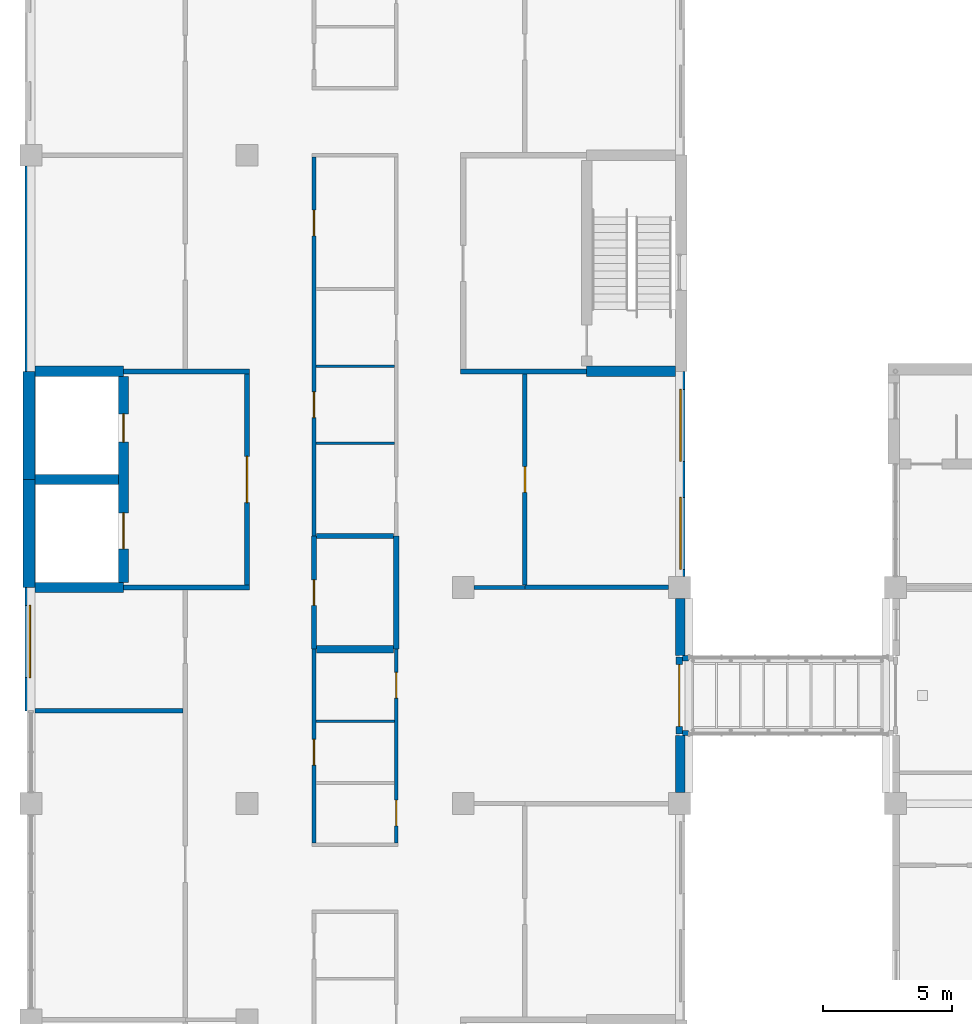
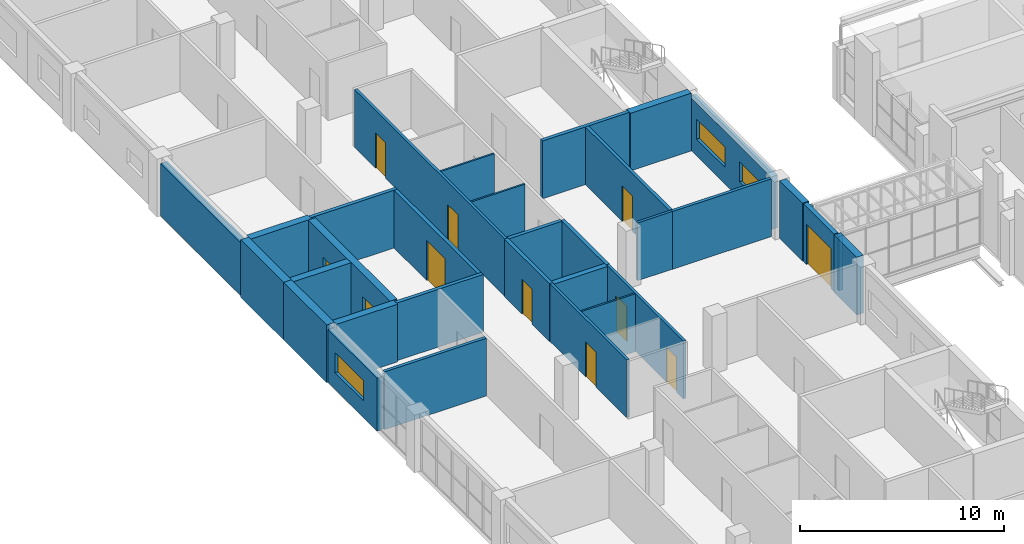
# One storey, part 65 of 94: 33 walls, 11 doors, 3 windows, 14 openings.
"""IFC4 building model written with IfcOpenShell, lengths in metres."""

from ifc_helpers import new_model, si_unit, direction, frame, frame_2d, origin, place, context, subcontext, project, spatial, rectangle, extrude, material, layer, layer_set, type_object, element, fill, save


model = new_model("IFC4")

# Units and contexts
model_context = context("Model", 3, precision=1e-05, world=origin(), true_north=direction((0.0, 1.0)))
body_context = subcontext(model_context, "Body", "Model", "MODEL_VIEW")
ifc_project = project(units=[si_unit("LENGTHUNIT", "METRE"), si_unit("AREAUNIT", "SQUARE_METRE"), si_unit("VOLUMEUNIT", "CUBIC_METRE"), si_unit("PLANEANGLEUNIT", "RADIAN"), si_unit("MASSUNIT", "GRAM", prefix="KILO")], contexts=[model_context])

# Site, building, storey
site_placement = place(None, origin())
site = spatial("IfcSite", under=ifc_project, at=site_placement, CompositionType="ELEMENT")
building_placement = place(site_placement, origin())
building = spatial("IfcBuilding", under=site, at=building_placement, Name="Yavir Park General Hospital", CompositionType="ELEMENT")
storey_placement = place(building_placement, frame((0.0, 0.0, 4.5)))
storey = spatial("IfcBuildingStorey", under=building, at=storey_placement, Name="L01", CompositionType="ELEMENT", Elevation=4.5)

# Walls
ifc_material_1 = material(Name="Double-leaf gypsum board acoustic partition on staggered studs")
ifc_layer_1 = layer(ifc_material_1, 0.175048828125)
ifc_layer_set_1 = layer_set([ifc_layer_1], Name="Double-leaf gypsum board acoustic partition on staggered studs")
wall_type_1 = type_object("IfcWallType", Name="Acoustic partition 175", PredefinedType="PARTITIONING", material=ifc_layer_set_1)
wall_1_placement = place(storey_placement, frame((0.14990234375, 62.39990234375, 0.0), z_axis=(0.0, 0.0, 1.0), x_axis=(1.0, 0.0, 0.0)))
element("IfcWall", 1, at=wall_1_placement, inside=storey, type_object=wall_type_1, Name="AP175 L01-181", PredefinedType="PARTITIONING", context=body_context, shape_type="SweptSolid", body=[
    extrude(rectangle(XDim=5.7626953125, YDim=0.175048828125, at=frame_2d((2.88134765625, 0.0))), origin(), (0.0, 0.0, 1.0), 3.449951171875),
])
wall_2_placement = place(storey_placement, frame((19.199951171875, 67.199951171875, 0.0), z_axis=(0.0, 0.0, 1.0), x_axis=(1.0, 0.0, 0.0)))
element("IfcWall", 2, at=wall_2_placement, inside=storey, type_object=wall_type_1, Name="AP175 L01-189", PredefinedType="PARTITIONING", context=body_context, shape_type="SweptSolid", body=[
    extrude(rectangle(XDim=5.574951171875, YDim=0.175048828125, at=frame_2d((2.78759765625, 0.0))), origin(), (0.0, 0.0, 1.0), 3.449951171875),
])

# Wall, opening, door
wall_3_placement = place(storey_placement, frame((19.199951171875, 67.28759765625, 0.0), z_axis=(0.0, 0.0, 1.0), x_axis=(0.0, 1.0, 0.0)))
wall_3 = element("IfcWall", 3, at=wall_3_placement, inside=storey, type_object=wall_type_1, Name="AP175 L01-310", PredefinedType="PARTITIONING", context=body_context, shape_type="SweptSolid", body=[
    extrude(rectangle(XDim=8.21240234375, YDim=0.175048828125, at=frame_2d((4.106201171875, 0.0))), origin(), (0.0, 0.0, 1.0), 3.449951171875),
])
opening_1_placement = place(wall_3_placement, frame((3.606201171875, 0.0, 0.0)))
opening_1 = element("IfcOpeningElement", 4, at=opening_1_placement, cuts=wall_3, Name="Opening L01.D216", PredefinedType="OPENING", context=body_context, shape_type="SweptSolid", body=[
    extrude(rectangle(XDim=1.0, YDim=2.10009765625, at=frame_2d((0.5, 1.050048828125))), frame((0.0, 0.097412109375, 0.0), z_axis=(0.0, -1.0, 0.0), x_axis=(1.0, 0.0, 0.0)), (0.0, 0.0, 1.0), 0.195068359375),
])
ifc_material_2 = material(Name="Sealed solid-core acoustic door leaf, Rw 42 dB")
door_type_1 = type_object("IfcDoorType", Name="Acoustic door 1000 x 2100", OperationType="SINGLE_SWING_LEFT", PredefinedType="DOOR", material=ifc_material_2)
door_1_placement = place(opening_1_placement, origin())
door_1 = element("IfcDoor", 5, at=door_1_placement, inside=storey, type_object=door_type_1, Name="L01.D216", OperationType="SINGLE_SWING_LEFT", OverallHeight=2.10009765625, OverallWidth=1.0, PredefinedType="DOOR", context=body_context, shape_type="SweptSolid", body=[
    extrude(rectangle(XDim=1.0, YDim=2.10009765625, at=frame_2d((0.5, 1.050048828125))), frame((0.0, 0.03515625, 0.0), z_axis=(0.0, -1.0, 0.0), x_axis=(1.0, 0.0, 0.0)), (0.0, 0.0, 1.0), 0.070068359375),
])
fill(opening_1, door_1)

ifc_material_3 = material(Name="Concrete C30/37", Category="concrete")
ifc_layer_2 = layer(ifc_material_3, 0.25)
ifc_layer_set_2 = layer_set([ifc_layer_2], Name="Concrete C30/37")
wall_type_2 = type_object("IfcWallType", Name="Compartment fire wall 250, REI 150", PredefinedType="SOLIDWALL", material=ifc_layer_set_2)
wall_4_placement = place(storey_placement, frame((25.199951171875, 61.5, 0.0), z_axis=(0.0, 0.0, 1.0), x_axis=(0.0, 1.0, 0.0)))
wall_4 = element("IfcWall", 6, at=wall_4_placement, inside=storey, type_object=wall_type_2, Name="FW25 L01-324", PredefinedType="SOLIDWALL", context=body_context, shape_type="SweptSolid", body=[
    extrude(rectangle(XDim=3.0, YDim=0.25, at=frame_2d((1.5, 0.0))), origin(), (0.0, 0.0, 1.0), 3.449951171875),
])
opening_2_placement = place(wall_4_placement, frame((0.300048828125, 0.0, 0.0)))
opening_2 = element("IfcOpeningElement", 7, at=opening_2_placement, cuts=wall_4, Name="Opening L01.D226", PredefinedType="OPENING", context=body_context, shape_type="SweptSolid", body=[
    extrude(rectangle(XDim=2.39990234375, YDim=2.39990234375, at=frame_2d((1.199951171875, 1.199951171875))), frame((0.0, 0.135009765625, 0.0), z_axis=(0.0, -1.0, 0.0), x_axis=(1.0, 0.0, 0.0)), (0.0, 0.0, 1.0), 0.27001953125),
])
ifc_material_4 = material(Name="Steel frame, fire-resisting timber leaves", Category="steel")
door_type_2 = type_object("IfcDoorType", Name="Double fire door 2400 x 2400, EI 60", OperationType="DOUBLE_DOOR_SINGLE_SWING", PredefinedType="DOOR", material=ifc_material_4)
door_2_placement = place(opening_2_placement, origin())
door_2 = element("IfcDoor", 8, at=door_2_placement, inside=storey, type_object=door_type_2, Name="L01.D226", OperationType="SINGLE_SWING_RIGHT", OverallHeight=2.39990234375, OverallWidth=2.39990234375, PredefinedType="DOOR", context=body_context, shape_type="SweptSolid", body=[
    extrude(rectangle(XDim=2.39990234375, YDim=2.39990234375, at=frame_2d((1.199951171875, 1.199951171875))), frame((0.0, 0.02490234375, 0.0), z_axis=(0.0, -1.0, 0.0), x_axis=(1.0, 0.0, 0.0)), (0.0, 0.0, 1.0), 0.050048828125),
])
fill(opening_2, door_2)

# Walls
ifc_material_5 = material(Name="Double gypsum board fire partition on steel studs", Category="steel")
ifc_layer_3 = layer(ifc_material_5, 0.199951171875)
ifc_layer_set_3 = layer_set([ifc_layer_3], Name="Double gypsum board fire partition on steel studs")
wall_type_3 = type_object("IfcWallType", Name="Fire-rated partition 200, EI 60", PredefinedType="PARTITIONING", material=ifc_layer_set_3)
for number, where, z_axis, x_axis, name in (
    (9, (3.60009765625, 67.199951171875, 0.0), (0.0, 0.0, 1.0), (1.0, 0.0, 0.0), "FP20 L01-187"),
    (10, (3.60009765625, 75.60009765625, 0.0), (0.0, 0.0, 1.0), (1.0, 0.0, 0.0), "FP20 L01-211"),
):
    element("IfcWall", number, at=place(storey_placement, frame(where, z_axis=z_axis, x_axis=x_axis)), inside=storey, type_object=wall_type_3, Name=name, PredefinedType="PARTITIONING", context=body_context, shape_type="SweptSolid", body=[
        extrude(rectangle(XDim=4.89990234375, YDim=0.199951171875, at=frame_2d((2.449951171875, 0.0))), origin(), (0.0, 0.0, 1.0), 3.449951171875),
    ])
wall_5_placement = place(storey_placement, frame((16.699951171875, 75.60009765625, 0.0), z_axis=(0.0, 0.0, 1.0), x_axis=(1.0, 0.0, 0.0)))
element("IfcWall", 11, at=wall_5_placement, inside=storey, type_object=wall_type_3, Name="FP20 L01-212", PredefinedType="PARTITIONING", context=body_context, shape_type="SweptSolid", body=[
    extrude(rectangle(XDim=4.900146484375, YDim=0.199951171875, at=frame_2d((2.4501953125, 0.0))), origin(), (0.0, 0.0, 1.0), 3.449951171875),
])

# Wall, opening, door
wall_6_placement = place(storey_placement, frame((8.39990234375, 67.300048828125, 0.0), z_axis=(0.0, 0.0, 1.0), x_axis=(0.0, 1.0, 0.0)))
wall_6 = element("IfcWall", 12, at=wall_6_placement, inside=storey, type_object=wall_type_3, Name="FP20 L01-286", PredefinedType="PARTITIONING", context=body_context, shape_type="SweptSolid", body=[
    extrude(rectangle(XDim=8.199951171875, YDim=0.199951171875, at=frame_2d((4.10009765625, 0.0))), origin(), (0.0, 0.0, 1.0), 3.449951171875),
])
opening_3_placement = place(wall_6_placement, frame((3.199951171875, 0.0, 0.0)))
opening_3 = element("IfcOpeningElement", 13, at=opening_3_placement, cuts=wall_6, Name="Opening L01.D179", PredefinedType="OPENING", context=body_context, shape_type="SweptSolid", body=[
    extrude(rectangle(XDim=1.800048828125, YDim=2.39990234375, at=frame_2d((0.89990234375, 1.199951171875))), frame((0.0, 0.10986328125, 0.0), z_axis=(0.0, -1.0, 0.0), x_axis=(1.0, 0.0, 0.0)), (0.0, 0.0, 1.0), 0.219970703125),
])
ifc_material_6 = material(Name="Steel frame, fire-resisting leaves with vision panels", Category="steel")
door_type_3 = type_object("IfcDoorType", Name="Double fire door with vision panels 1800 x 2400, EI 60", OperationType="DOUBLE_DOOR_SINGLE_SWING", PredefinedType="DOOR", material=ifc_material_6)
door_3_placement = place(opening_3_placement, origin())
door_3 = element("IfcDoor", 14, at=door_3_placement, inside=storey, type_object=door_type_3, Name="L01.D179", OperationType="SINGLE_SWING_LEFT", OverallHeight=2.39990234375, OverallWidth=1.800048828125, PredefinedType="DOOR", context=body_context, shape_type="SweptSolid", body=[
    extrude(rectangle(XDim=1.800048828125, YDim=2.39990234375, at=frame_2d((0.89990234375, 1.199951171875))), frame((0.0, 0.030029296875, 0.0), z_axis=(0.0, -1.0, 0.0), x_axis=(1.0, 0.0, 0.0)), (0.0, 0.0, 1.0), 0.06005859375),
])
fill(opening_3, door_3)

# Walls
ifc_material_7 = material(Name="Aluminium glazing frame wall with insulated infill", Category="aluminium")
ifc_layer_4 = layer(ifc_material_7, 0.199951171875)
ifc_layer_set_4 = layer_set([ifc_layer_4], Name="Aluminium glazing frame wall with insulated infill")
wall_type_4 = type_object("IfcWallType", Name="Glazing frame wall 200, E 30", PredefinedType="SOLIDWALL", material=ifc_layer_set_4)
for number, where, z_axis, x_axis, name in (
    (15, (25.324951171875, 61.550048828125, 0.0), (0.0, 0.0, 1.0), (1.0, 0.0, 0.0), "XW9 L01-097"),
    (16, (25.324951171875, 64.449951171875, 0.0), (0.0, 0.0, 1.0), (1.0, 0.0, 0.0), "XW9 L01-099"),
):
    element("IfcWall", number, at=place(storey_placement, frame(where, z_axis=z_axis, x_axis=x_axis)), inside=storey, type_object=wall_type_4, Name=name, PredefinedType="SOLIDWALL", context=body_context, shape_type="SweptSolid", body=[
        extrude(rectangle(XDim=0.22509765625, YDim=0.199951171875, at=frame_2d((0.112548828125, 0.0))), origin(), (0.0, 0.0, 1.0), 3.25),
    ])
ifc_material_8 = material(Name="Gypsum board partition on steel studs", Category="steel")
ifc_layer_5 = layer(ifc_material_8, 0.10009765625)
ifc_layer_set_5 = layer_set([ifc_layer_5], Name="Gypsum board partition on steel studs")
wall_type_5 = type_object("IfcWallType", Name="Gypsum board partition 100", PredefinedType="PARTITIONING", material=ifc_layer_set_5)
for number, where, z_axis, x_axis, name in (
    (17, (11.074951171875, 62.0, 0.0), (0.0, 0.0, 1.0), (1.0, 0.0, 0.0), "P10 L01-180"),
    (18, (11.074951171875, 72.800048828125, 0.0), (0.0, 0.0, 1.0), (1.0, 0.0, 0.0), "P10 L01-208"),
    (19, (11.074951171875, 75.800048828125, 0.0), (0.0, 0.0, 1.0), (1.0, 0.0, 0.0), "P10 L01-218"),
):
    element("IfcWall", number, at=place(storey_placement, frame(where, z_axis=z_axis, x_axis=x_axis)), inside=storey, type_object=wall_type_5, Name=name, PredefinedType="PARTITIONING", context=body_context, shape_type="SweptSolid", body=[
        extrude(rectangle(XDim=3.050048828125, YDim=0.10009765625, at=frame_2d((1.52490234375, 0.0))), origin(), (0.0, 0.0, 1.0), 3.449951171875),
    ])
ifc_material_9 = material(Name="Gypsum board partition on steel studs", Category="steel")
ifc_layer_6 = layer(ifc_material_9, 0.14990234375)
ifc_layer_set_6 = layer_set([ifc_layer_6], Name="Gypsum board partition on steel studs")
wall_type_6 = type_object("IfcWallType", Name="Gypsum board partition 150", PredefinedType="PARTITIONING", material=ifc_layer_set_6)
wall_7_placement = place(storey_placement, frame((17.22509765625, 67.199951171875, 0.0), z_axis=(0.0, 0.0, 1.0), x_axis=(1.0, 0.0, 0.0)))
element("IfcWall", 20, at=wall_7_placement, inside=storey, type_object=wall_type_6, Name="P15 L01-188", PredefinedType="PARTITIONING", context=body_context, shape_type="SweptSolid", body=[
    extrude(rectangle(XDim=1.974853515625, YDim=0.14990234375, at=frame_2d((0.9873046875, 0.0))), origin(), (0.0, 0.0, 1.0), 3.449951171875),
])

# Wall, opening, door
wall_8_placement = place(storey_placement, frame((11.0, 57.27490234375, 0.0), z_axis=(0.0, 0.0, 1.0), x_axis=(0.0, 1.0, 0.0)))
wall_8 = element("IfcWall", 21, at=wall_8_placement, inside=storey, type_object=wall_type_6, Name="P15 L01-289", PredefinedType="PARTITIONING", context=body_context, shape_type="SweptSolid", body=[
    extrude(rectangle(XDim=7.525146484375, YDim=0.14990234375, at=frame_2d((3.7626953125, 0.0))), origin(), (0.0, 0.0, 1.0), 3.449951171875),
])
opening_4_placement = place(wall_8_placement, frame((3.02490234375, 0.0, 0.0)))
opening_4 = element("IfcOpeningElement", 22, at=opening_4_placement, cuts=wall_8, Name="Opening L01.D185", PredefinedType="OPENING", context=body_context, shape_type="SweptSolid", body=[
    extrude(rectangle(XDim=1.0, YDim=2.10009765625, at=frame_2d((0.5, 1.050048828125))), frame((0.0, 0.0849609375, 0.0), z_axis=(0.0, -1.0, 0.0), x_axis=(1.0, 0.0, 0.0)), (0.0, 0.0, 1.0), 0.169921875),
])
ifc_material_10 = material(Name="Hollow metal frame, solid-core timber leaf", Category="wood")
door_type_4 = type_object("IfcDoorType", Name="Single swing door 1000 x 2100", OperationType="SINGLE_SWING_LEFT", PredefinedType="DOOR", material=ifc_material_10)
door_4_placement = place(opening_4_placement, origin())
door_4 = element("IfcDoor", 23, at=door_4_placement, inside=storey, type_object=door_type_4, Name="L01.D185", OperationType="SINGLE_SWING_LEFT", OverallHeight=2.10009765625, OverallWidth=1.0, PredefinedType="DOOR", context=body_context, shape_type="SweptSolid", body=[
    extrude(rectangle(XDim=1.0, YDim=2.10009765625, at=frame_2d((0.5, 1.050048828125))), frame((0.0, 0.02490234375, 0.0), z_axis=(0.0, -1.0, 0.0), x_axis=(1.0, 0.0, 0.0)), (0.0, 0.0, 1.0), 0.050048828125),
])
fill(opening_4, door_4)

# Wall, openings, doors
wall_9_placement = place(storey_placement, frame((11.0, 69.199951171875, 0.0), z_axis=(0.0, 0.0, 1.0), x_axis=(0.0, 1.0, 0.0)))
wall_9 = element("IfcWall", 24, at=wall_9_placement, inside=storey, type_object=wall_type_6, Name="P15 L01-291", PredefinedType="PARTITIONING", context=body_context, shape_type="SweptSolid", body=[
    extrude(rectangle(XDim=14.72509765625, YDim=0.14990234375, at=frame_2d((7.362548828125, 0.0))), origin(), (0.0, 0.0, 1.0), 3.449951171875),
])
opening_5_placement = place(wall_9_placement, frame((4.60009765625, 0.0, 0.0)))
opening_5 = element("IfcOpeningElement", 25, at=opening_5_placement, cuts=wall_9, Name="Opening L01.D187", PredefinedType="OPENING", context=body_context, shape_type="SweptSolid", body=[
    extrude(rectangle(XDim=1.0, YDim=2.10009765625, at=frame_2d((0.5, 1.050048828125))), frame((0.0, 0.0849609375, 0.0), z_axis=(0.0, -1.0, 0.0), x_axis=(1.0, 0.0, 0.0)), (0.0, 0.0, 1.0), 0.169921875),
])
opening_6_placement = place(wall_9_placement, frame((11.66259765625, 0.0, 0.0)))
opening_6 = element("IfcOpeningElement", 26, at=opening_6_placement, cuts=wall_9, Name="Opening L01.D188", PredefinedType="OPENING", context=body_context, shape_type="SweptSolid", body=[
    extrude(rectangle(XDim=1.0, YDim=2.10009765625, at=frame_2d((0.5, 1.050048828125))), frame((0.0, 0.0849609375, 0.0), z_axis=(0.0, -1.0, 0.0), x_axis=(1.0, 0.0, 0.0)), (0.0, 0.0, 1.0), 0.169921875),
])
door_5_placement = place(opening_5_placement, origin())
door_5 = element("IfcDoor", 27, at=door_5_placement, inside=storey, type_object=door_type_4, Name="L01.D187", OperationType="SINGLE_SWING_LEFT", OverallHeight=2.10009765625, OverallWidth=1.0, PredefinedType="DOOR", context=body_context, shape_type="SweptSolid", body=[
    extrude(rectangle(XDim=1.0, YDim=2.10009765625, at=frame_2d((0.5, 1.050048828125))), frame((0.0, 0.02490234375, 0.0), z_axis=(0.0, -1.0, 0.0), x_axis=(1.0, 0.0, 0.0)), (0.0, 0.0, 1.0), 0.050048828125),
])
fill(opening_5, door_5)
door_6_placement = place(opening_6_placement, origin())
door_6 = element("IfcDoor", 28, at=door_6_placement, inside=storey, type_object=door_type_4, Name="L01.D188", OperationType="SINGLE_SWING_RIGHT", OverallHeight=2.10009765625, OverallWidth=1.0, PredefinedType="DOOR", context=body_context, shape_type="SweptSolid", body=[
    extrude(rectangle(XDim=1.0, YDim=2.10009765625, at=frame_2d((0.5, 1.050048828125))), frame((0.0, 0.02490234375, 0.0), z_axis=(0.0, -1.0, 0.0), x_axis=(1.0, 0.0, 0.0)), (0.0, 0.0, 1.0), 0.050048828125),
])
fill(opening_6, door_6)

wall_10_placement = place(storey_placement, frame((14.199951171875, 57.27490234375, 0.0), z_axis=(0.0, 0.0, 1.0), x_axis=(0.0, 1.0, 0.0)))
wall_10 = element("IfcWall", 29, at=wall_10_placement, inside=storey, type_object=wall_type_6, Name="P15 L01-296", PredefinedType="PARTITIONING", context=body_context, shape_type="SweptSolid", body=[
    extrude(rectangle(XDim=7.525146484375, YDim=0.14990234375, at=frame_2d((3.7626953125, 0.0))), origin(), (0.0, 0.0, 1.0), 3.449951171875),
])
opening_7_placement = place(wall_10_placement, frame((0.66259765625, 0.0, 0.0)))
opening_7 = element("IfcOpeningElement", 30, at=opening_7_placement, cuts=wall_10, Name="Opening L01.D199", PredefinedType="OPENING", context=body_context, shape_type="SweptSolid", body=[
    extrude(rectangle(XDim=1.0, YDim=2.10009765625, at=frame_2d((0.5, 1.050048828125))), frame((0.0, 0.0849609375, 0.0), z_axis=(0.0, -1.0, 0.0), x_axis=(1.0, 0.0, 0.0)), (0.0, 0.0, 1.0), 0.169921875),
])
opening_8_placement = place(wall_10_placement, frame((5.625, 0.0, 0.0)))
opening_8 = element("IfcOpeningElement", 31, at=opening_8_placement, cuts=wall_10, Name="Opening L01.D200", PredefinedType="OPENING", context=body_context, shape_type="SweptSolid", body=[
    extrude(rectangle(XDim=1.0, YDim=2.10009765625, at=frame_2d((0.5, 1.050048828125))), frame((0.0, 0.0849609375, 0.0), z_axis=(0.0, -1.0, 0.0), x_axis=(1.0, 0.0, 0.0)), (0.0, 0.0, 1.0), 0.169921875),
])
door_7_placement = place(opening_7_placement, origin())
door_7 = element("IfcDoor", 32, at=door_7_placement, inside=storey, type_object=door_type_4, Name="L01.D199", OperationType="SINGLE_SWING_LEFT", OverallHeight=2.10009765625, OverallWidth=1.0, PredefinedType="DOOR", context=body_context, shape_type="SweptSolid", body=[
    extrude(rectangle(XDim=1.0, YDim=2.10009765625, at=frame_2d((0.5, 1.050048828125))), frame((0.0, 0.02490234375, 0.0), z_axis=(0.0, -1.0, 0.0), x_axis=(1.0, 0.0, 0.0)), (0.0, 0.0, 1.0), 0.050048828125),
])
fill(opening_7, door_7)
door_8_placement = place(opening_8_placement, origin())
door_8 = element("IfcDoor", 33, at=door_8_placement, inside=storey, type_object=door_type_4, Name="L01.D200", OperationType="SINGLE_SWING_RIGHT", OverallHeight=2.10009765625, OverallWidth=1.0, PredefinedType="DOOR", context=body_context, shape_type="SweptSolid", body=[
    extrude(rectangle(XDim=1.0, YDim=2.10009765625, at=frame_2d((0.5, 1.050048828125))), frame((0.0, 0.02490234375, 0.0), z_axis=(0.0, -1.0, 0.0), x_axis=(1.0, 0.0, 0.0)), (0.0, 0.0, 1.0), 0.050048828125),
])
fill(opening_8, door_8)

# Wall
ifc_material_11 = material(Name="Clay block masonry infill", Category="masonry")
ifc_layer_7 = layer(ifc_material_11, 0.199951171875)
ifc_layer_set_7 = layer_set([ifc_layer_7], Name="Clay block masonry infill")
wall_type_7 = type_object("IfcWallType", Name="Masonry infill wall 200", PredefinedType="SOLIDWALL", material=ifc_layer_set_7)
wall_11_placement = place(storey_placement, frame((11.10009765625, 69.199951171875, 0.0), z_axis=(0.0, 0.0, 1.0), x_axis=(1.0, 0.0, 0.0)))
element("IfcWall", 34, at=wall_11_placement, inside=storey, type_object=wall_type_7, Name="MW20 L01-198", PredefinedType="SOLIDWALL", context=body_context, shape_type="SweptSolid", body=[
    extrude(rectangle(XDim=3.0, YDim=0.199951171875, at=frame_2d((1.5, 0.0))), origin(), (0.0, 0.0, 1.0), 3.449951171875),
])

# Wall, opening, door
wall_12_placement = place(storey_placement, frame((11.0, 64.800048828125, 0.0), z_axis=(0.0, 0.0, 1.0), x_axis=(0.0, 1.0, 0.0)))
wall_12 = element("IfcWall", 35, at=wall_12_placement, inside=storey, type_object=wall_type_7, Name="MW20 L01-290", PredefinedType="SOLIDWALL", context=body_context, shape_type="SweptSolid", body=[
    extrude(rectangle(XDim=4.39990234375, YDim=0.199951171875, at=frame_2d((2.199951171875, 0.0))), origin(), (0.0, 0.0, 1.0), 3.449951171875),
])
opening_9_placement = place(wall_12_placement, frame((1.699951171875, 0.0, 0.0)))
opening_9 = element("IfcOpeningElement", 36, at=opening_9_placement, cuts=wall_12, Name="Opening L01.D186", PredefinedType="OPENING", context=body_context, shape_type="SweptSolid", body=[
    extrude(rectangle(XDim=1.0, YDim=2.10009765625, at=frame_2d((0.5, 1.050048828125))), frame((0.0, 0.10986328125, 0.0), z_axis=(0.0, -1.0, 0.0), x_axis=(1.0, 0.0, 0.0)), (0.0, 0.0, 1.0), 0.219970703125),
])
door_9_placement = place(opening_9_placement, origin())
door_9 = element("IfcDoor", 37, at=door_9_placement, inside=storey, type_object=door_type_4, Name="L01.D186", OperationType="SINGLE_SWING_LEFT", OverallHeight=2.10009765625, OverallWidth=1.0, PredefinedType="DOOR", context=body_context, shape_type="SweptSolid", body=[
    extrude(rectangle(XDim=1.0, YDim=2.10009765625, at=frame_2d((0.5, 1.050048828125))), frame((0.0, 0.02490234375, 0.0), z_axis=(0.0, -1.0, 0.0), x_axis=(1.0, 0.0, 0.0)), (0.0, 0.0, 1.0), 0.050048828125),
])
fill(opening_9, door_9)

# Wall
wall_13_placement = place(storey_placement, frame((14.199951171875, 64.800048828125, 0.0), z_axis=(0.0, 0.0, 1.0), x_axis=(0.0, 1.0, 0.0)))
element("IfcWall", 38, at=wall_13_placement, inside=storey, type_object=wall_type_7, Name="MW20 L01-297", PredefinedType="SOLIDWALL", context=body_context, shape_type="SweptSolid", body=[
    extrude(rectangle(XDim=4.39990234375, YDim=0.199951171875, at=frame_2d((2.199951171875, 0.0))), origin(), (0.0, 0.0, 1.0), 3.449951171875),
])

# Wall, opening, window
ifc_material_12 = material(Name="Autoclaved aerated block, 150 mm mineral wool and sand-coloured mineral render")
ifc_layer_8 = layer(ifc_material_12, 0.375)
ifc_layer_set_8 = layer_set([ifc_layer_8], Name="Autoclaved aerated block, 150 mm mineral wool and sand-coloured mineral render")
wall_type_8 = type_object("IfcWallType", Name="Mineral render clinical wall 375, E 30", PredefinedType="SOLIDWALL", material=ifc_layer_set_8)
wall_14_placement = place(storey_placement, frame((-0.03759765625, 62.39990234375, 0.0), z_axis=(0.0, 0.0, 1.0), x_axis=(0.0, 1.0, 0.0)))
wall_14 = element("IfcWall", 39, at=wall_14_placement, inside=storey, type_object=wall_type_8, Name="XW1 L01-144", PredefinedType="SOLIDWALL", context=body_context, shape_type="SweptSolid", body=[
    extrude(rectangle(XDim=4.800048828125, YDim=0.375, at=frame_2d((2.39990234375, 0.0))), origin(), (0.0, 0.0, 1.0), 3.14990234375),
])
opening_10_placement = place(wall_14_placement, frame((1.300048828125, 0.0, 1.0)))
opening_10 = element("IfcOpeningElement", 40, at=opening_10_placement, cuts=wall_14, Name="Opening WRB", PredefinedType="OPENING", context=body_context, shape_type="SweptSolid", body=[
    extrude(rectangle(XDim=2.800048828125, YDim=1.199951171875, at=frame_2d((1.39990234375, 0.60009765625))), frame((0.0, 0.197509765625, 0.0), z_axis=(0.0, -1.0, 0.0), x_axis=(1.0, 0.0, 0.0)), (0.0, 0.0, 1.0), 0.39501953125),
])
ifc_material_13 = material(Name="Aluminium frame, double glazed unit", Category="aluminium")
window_type = type_object("IfcWindowType", Name="Ribbon window 2800 x 1200", PartitioningType="DOUBLE_PANEL_VERTICAL", PredefinedType="WINDOW", material=ifc_material_13)
window_1_placement = place(opening_10_placement, origin())
window_1 = element("IfcWindow", 41, at=window_1_placement, inside=storey, type_object=window_type, Name="WRB L01-081", OverallHeight=1.199951171875, OverallWidth=2.800048828125, PartitioningType="DOUBLE_PANEL_VERTICAL", PredefinedType="WINDOW", context=body_context, shape_type="SweptSolid", body=[
    extrude(rectangle(XDim=2.800048828125, YDim=1.199951171875, at=frame_2d((1.39990234375, 0.60009765625))), frame((0.0, 0.030029296875, 0.0), z_axis=(0.0, -1.0, 0.0), x_axis=(1.0, 0.0, 0.0)), (0.0, 0.0, 1.0), 0.06005859375),
])
fill(opening_10, window_1)

# Walls
wall_15_placement = place(storey_placement, frame((-0.03759765625, 75.60009765625, 0.0), z_axis=(0.0, 0.0, 1.0), x_axis=(0.0, 1.0, 0.0)))
element("IfcWall", 42, at=wall_15_placement, inside=storey, type_object=wall_type_8, Name="XW1 L01-147", PredefinedType="SOLIDWALL", context=body_context, shape_type="SweptSolid", body=[
    extrude(rectangle(XDim=7.974853515625, YDim=0.375, at=frame_2d((3.9873046875, 0.0))), origin(), (0.0, 0.0, 1.0), 3.14990234375),
])
for number, where, z_axis, x_axis, name in (
    (43, (25.237548828125, 59.22509765625, 0.0), (0.0, 0.0, 1.0), (0.0, 1.0, 0.0), "XW1 L01-160"),
    (44, (25.237548828125, 64.550048828125, 0.0), (0.0, 0.0, 1.0), (0.0, 1.0, 0.0), "XW1 L01-161"),
):
    element("IfcWall", number, at=place(storey_placement, frame(where, z_axis=z_axis, x_axis=x_axis)), inside=storey, type_object=wall_type_8, Name=name, PredefinedType="SOLIDWALL", context=body_context, shape_type="SweptSolid", body=[
        extrude(rectangle(XDim=2.224853515625, YDim=0.375, at=frame_2d((1.1123046875, 0.0))), origin(), (0.0, 0.0, 1.0), 3.449951171875),
    ])

# Wall, openings, windows
wall_16_placement = place(storey_placement, frame((25.237548828125, 67.625, 0.0), z_axis=(0.0, 0.0, 1.0), x_axis=(0.0, 1.0, 0.0)))
wall_16 = element("IfcWall", 45, at=wall_16_placement, inside=storey, type_object=wall_type_8, Name="XW1 L01-162", PredefinedType="SOLIDWALL", context=body_context, shape_type="SweptSolid", body=[
    extrude(rectangle(XDim=7.97509765625, YDim=0.375, at=frame_2d((3.987548828125, 0.0))), origin(), (0.0, 0.0, 1.0), 3.14990234375),
])
opening_11_placement = place(wall_16_placement, frame((0.27490234375, 0.0, 1.0)))
opening_11 = element("IfcOpeningElement", 46, at=opening_11_placement, cuts=wall_16, Name="Opening WRB", PredefinedType="OPENING", context=body_context, shape_type="SweptSolid", body=[
    extrude(rectangle(XDim=2.800048828125, YDim=1.199951171875, at=frame_2d((1.39990234375, 0.60009765625))), frame((0.0, 0.197509765625, 0.0), z_axis=(0.0, -1.0, 0.0), x_axis=(1.0, 0.0, 0.0)), (0.0, 0.0, 1.0), 0.39501953125),
])
opening_12_placement = place(wall_16_placement, frame((4.47509765625, 0.0, 1.0)))
opening_12 = element("IfcOpeningElement", 47, at=opening_12_placement, cuts=wall_16, Name="Opening WRB", PredefinedType="OPENING", context=body_context, shape_type="SweptSolid", body=[
    extrude(rectangle(XDim=2.800048828125, YDim=1.199951171875, at=frame_2d((1.39990234375, 0.60009765625))), frame((0.0, 0.197509765625, 0.0), z_axis=(0.0, -1.0, 0.0), x_axis=(1.0, 0.0, 0.0)), (0.0, 0.0, 1.0), 0.39501953125),
])
window_2_placement = place(opening_11_placement, origin())
window_2 = element("IfcWindow", 48, at=window_2_placement, inside=storey, type_object=window_type, Name="WRB L01-092", OverallHeight=1.199951171875, OverallWidth=2.800048828125, PartitioningType="DOUBLE_PANEL_VERTICAL", PredefinedType="WINDOW", context=body_context, shape_type="SweptSolid", body=[
    extrude(rectangle(XDim=2.800048828125, YDim=1.199951171875, at=frame_2d((1.39990234375, 0.60009765625))), frame((0.0, 0.030029296875, 0.0), z_axis=(0.0, -1.0, 0.0), x_axis=(1.0, 0.0, 0.0)), (0.0, 0.0, 1.0), 0.06005859375),
])
fill(opening_11, window_2)
window_3_placement = place(opening_12_placement, origin())
window_3 = element("IfcWindow", 49, at=window_3_placement, inside=storey, type_object=window_type, Name="WRB L01-093", OverallHeight=1.199951171875, OverallWidth=2.800048828125, PartitioningType="DOUBLE_PANEL_VERTICAL", PredefinedType="WINDOW", context=body_context, shape_type="SweptSolid", body=[
    extrude(rectangle(XDim=2.800048828125, YDim=1.199951171875, at=frame_2d((1.39990234375, 0.60009765625))), frame((0.0, 0.030029296875, 0.0), z_axis=(0.0, -1.0, 0.0), x_axis=(1.0, 0.0, 0.0)), (0.0, 0.0, 1.0), 0.06005859375),
])
fill(opening_12, window_3)

# Walls
ifc_material_14 = material(Name="Dense block wall, cavity filled, acoustic render")
ifc_layer_9 = layer(ifc_material_14, 0.300048828125)
ifc_layer_set_9 = layer_set([ifc_layer_9], Name="Dense block wall, cavity filled, acoustic render")
wall_type_9 = type_object("IfcWallType", Name="Plant room acoustic block wall 300", PredefinedType="SOLIDWALL", material=ifc_layer_set_9)
wall_17_placement = place(storey_placement, frame((11.10009765625, 64.800048828125, 0.0), z_axis=(0.0, 0.0, 1.0), x_axis=(1.0, 0.0, 0.0)))
element("IfcWall", 50, at=wall_17_placement, inside=storey, type_object=wall_type_9, Name="AB300 L01-184", PredefinedType="SOLIDWALL", context=body_context, shape_type="SweptSolid", body=[
    extrude(rectangle(XDim=3.0, YDim=0.300048828125, at=frame_2d((1.5, 0.0))), origin(), (0.0, 0.0, 1.0), 3.449951171875),
])
ifc_material_15 = material(Name="Concrete C35/45", Category="concrete")
ifc_layer_10 = layer(ifc_material_15, 0.39990234375)
ifc_layer_set_10 = layer_set([ifc_layer_10], Name="Concrete C35/45")
wall_type_10 = type_object("IfcWallType", Name="Reinforced concrete core wall 400, REI 150", PredefinedType="SHEAR", material=ifc_layer_set_10)
wall_18_placement = place(storey_placement, frame((0.14990234375, 67.199951171875, 0.0), z_axis=(0.0, 0.0, 1.0), x_axis=(1.0, 0.0, 0.0)))
element("IfcWall", 51, at=wall_18_placement, inside=storey, type_object=wall_type_10, Name="CW40 L01-186", PredefinedType="SHEAR", context=body_context, shape_type="SweptSolid", body=[
    extrude(rectangle(XDim=3.4501953125, YDim=0.39990234375, at=frame_2d((1.72509765625, 0.0))), origin(), (0.0, 0.0, 1.0), 3.449951171875),
])
wall_19_placement = place(storey_placement, frame((0.14990234375, 71.39990234375, 0.0), z_axis=(0.0, 0.0, 1.0), x_axis=(1.0, 0.0, 0.0)))
element("IfcWall", 52, at=wall_19_placement, inside=storey, type_object=wall_type_10, Name="CW40 L01-201", PredefinedType="SHEAR", context=body_context, shape_type="SweptSolid", body=[
    extrude(rectangle(XDim=3.25, YDim=0.39990234375, at=frame_2d((1.625, 0.0))), origin(), (0.0, 0.0, 1.0), 3.449951171875),
])
wall_20_placement = place(storey_placement, frame((0.14990234375, 75.60009765625, 0.0), z_axis=(0.0, 0.0, 1.0), x_axis=(1.0, 0.0, 0.0)))
element("IfcWall", 53, at=wall_20_placement, inside=storey, type_object=wall_type_10, Name="CW40 L01-210", PredefinedType="SHEAR", context=body_context, shape_type="SweptSolid", body=[
    extrude(rectangle(XDim=3.4501953125, YDim=0.39990234375, at=frame_2d((1.72509765625, 0.0))), origin(), (0.0, 0.0, 1.0), 3.449951171875),
])
wall_21_placement = place(storey_placement, frame((21.60009765625, 75.60009765625, 0.0), z_axis=(0.0, 0.0, 1.0), x_axis=(1.0, 0.0, 0.0)))
element("IfcWall", 54, at=wall_21_placement, inside=storey, type_object=wall_type_10, Name="CW40 L01-213", PredefinedType="SHEAR", context=body_context, shape_type="SweptSolid", body=[
    extrude(rectangle(XDim=3.449951171875, YDim=0.39990234375, at=frame_2d((1.72509765625, 0.0))), origin(), (0.0, 0.0, 1.0), 3.449951171875),
])

# Wall, openings, doors
wall_22_placement = place(storey_placement, frame((3.60009765625, 67.39990234375, 0.0), z_axis=(0.0, 0.0, 1.0), x_axis=(0.0, 1.0, 0.0)))
wall_22 = element("IfcWall", 55, at=wall_22_placement, inside=storey, type_object=wall_type_10, Name="CW40 L01-276", PredefinedType="SHEAR", context=body_context, shape_type="SweptSolid", body=[
    extrude(rectangle(XDim=8.0, YDim=0.39990234375, at=frame_2d((4.0, 0.0))), origin(), (0.0, 0.0, 1.0), 3.449951171875),
])
opening_13_placement = place(wall_22_placement, frame((1.300048828125, 0.0, 0.0)))
opening_13 = element("IfcOpeningElement", 56, at=opening_13_placement, cuts=wall_22, Name="Opening L01.D166", PredefinedType="OPENING", context=body_context, shape_type="SweptSolid", body=[
    extrude(rectangle(XDim=1.39990234375, YDim=2.10009765625, at=frame_2d((0.699951171875, 1.050048828125))), frame((0.0, 0.2099609375, 0.0), z_axis=(0.0, -1.0, 0.0), x_axis=(1.0, 0.0, 0.0)), (0.0, 0.0, 1.0), 0.419921875),
])
opening_14_placement = place(wall_22_placement, frame((5.449951171875, 0.0, 0.0)))
opening_14 = element("IfcOpeningElement", 57, at=opening_14_placement, cuts=wall_22, Name="Opening L01.D167", PredefinedType="OPENING", context=body_context, shape_type="SweptSolid", body=[
    extrude(rectangle(XDim=1.10009765625, YDim=2.10009765625, at=frame_2d((0.550048828125, 1.050048828125))), frame((0.0, 0.2099609375, 0.0), z_axis=(0.0, -1.0, 0.0), x_axis=(1.0, 0.0, 0.0)), (0.0, 0.0, 1.0), 0.419921875),
])
ifc_material_16 = material(Name="Stainless steel landing door panels", Category="steel")
door_type_5 = type_object("IfcDoorType", Name="Lift landing door 1100 x 2100, EI 60", OperationType="SLIDING_TO_LEFT", PredefinedType="DOOR", material=ifc_material_16)
door_10_placement = place(opening_14_placement, origin())
door_10 = element("IfcDoor", 58, at=door_10_placement, inside=storey, type_object=door_type_5, Name="L01.D167", OperationType="SLIDING_TO_LEFT", OverallHeight=2.10009765625, OverallWidth=1.10009765625, PredefinedType="DOOR", context=body_context, shape_type="SweptSolid", body=[
    extrude(rectangle(XDim=1.10009765625, YDim=2.10009765625, at=frame_2d((0.550048828125, 1.050048828125))), frame((0.0, 0.02490234375, 0.0), z_axis=(0.0, -1.0, 0.0), x_axis=(1.0, 0.0, 0.0)), (0.0, 0.0, 1.0), 0.050048828125),
])
fill(opening_14, door_10)
ifc_material_17 = material(Name="Stainless steel landing door panels", Category="steel")
door_type_6 = type_object("IfcDoorType", Name="Lift landing door 1400 x 2100, EI 60", OperationType="SLIDING_TO_LEFT", PredefinedType="DOOR", material=ifc_material_17)
door_11_placement = place(opening_13_placement, origin())
door_11 = element("IfcDoor", 59, at=door_11_placement, inside=storey, type_object=door_type_6, Name="L01.D166", OperationType="SLIDING_TO_LEFT", OverallHeight=2.10009765625, OverallWidth=1.39990234375, PredefinedType="DOOR", context=body_context, shape_type="SweptSolid", body=[
    extrude(rectangle(XDim=1.39990234375, YDim=2.10009765625, at=frame_2d((0.699951171875, 1.050048828125))), frame((0.0, 0.02490234375, 0.0), z_axis=(0.0, -1.0, 0.0), x_axis=(1.0, 0.0, 0.0)), (0.0, 0.0, 1.0), 0.050048828125),
])
fill(opening_13, door_11)

# Walls
ifc_material_18 = material(Name="Concrete C30/37 precast panel with 150 mm mineral wool insulation", Category="concrete")
ifc_layer_11 = layer(ifc_material_18, 0.449951171875)
ifc_layer_set_11 = layer_set([ifc_layer_11], Name="Concrete C30/37 precast panel with 150 mm mineral wool insulation")
wall_type_11 = type_object("IfcWallType", Name="Stair enclosure wall 450, REI 150", PredefinedType="SOLIDWALL", material=ifc_layer_set_11)
wall_23_placement = place(storey_placement, frame((-0.074951171875, 67.199951171875, 0.0), z_axis=(0.0, 0.0, 1.0), x_axis=(0.0, 1.0, 0.0)))
element("IfcWall", 60, at=wall_23_placement, inside=storey, type_object=wall_type_11, Name="XW6 L01-145", PredefinedType="SOLIDWALL", context=body_context, shape_type="SweptSolid", body=[
    extrude(rectangle(XDim=4.199951171875, YDim=0.449951171875, at=frame_2d((2.10009765625, 0.0))), origin(), (0.0, 0.0, 1.0), 3.449951171875),
])
wall_24_placement = place(storey_placement, frame((-0.074951171875, 71.39990234375, 0.0), z_axis=(0.0, 0.0, 1.0), x_axis=(0.0, 1.0, 0.0)))
element("IfcWall", 61, at=wall_24_placement, inside=storey, type_object=wall_type_11, Name="XW6 L01-146", PredefinedType="SOLIDWALL", context=body_context, shape_type="SweptSolid", body=[
    extrude(rectangle(XDim=4.2001953125, YDim=0.449951171875, at=frame_2d((2.10009765625, 0.0))), origin(), (0.0, 0.0, 1.0), 3.449951171875),
])

save(model, "model.ifc")
